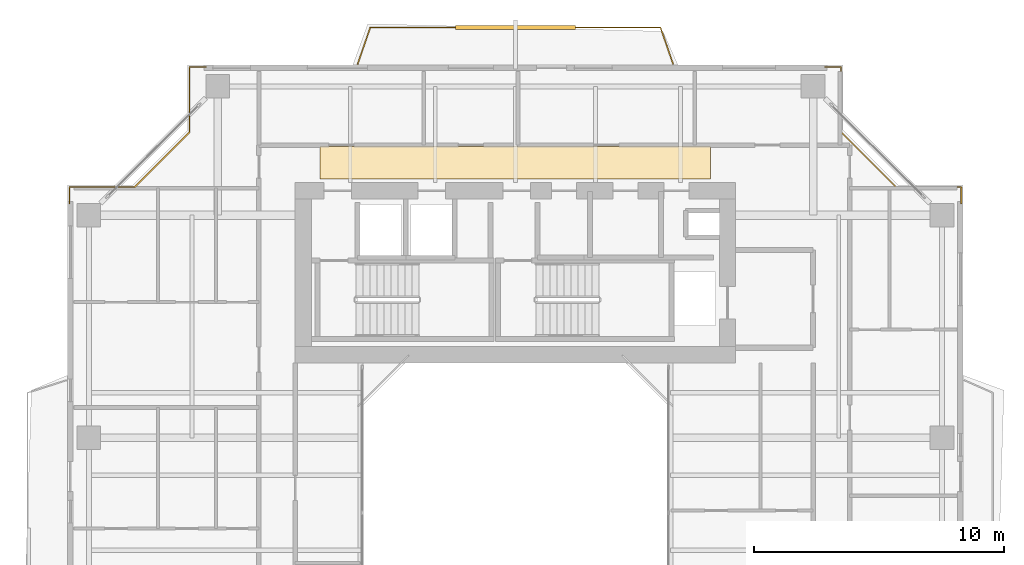
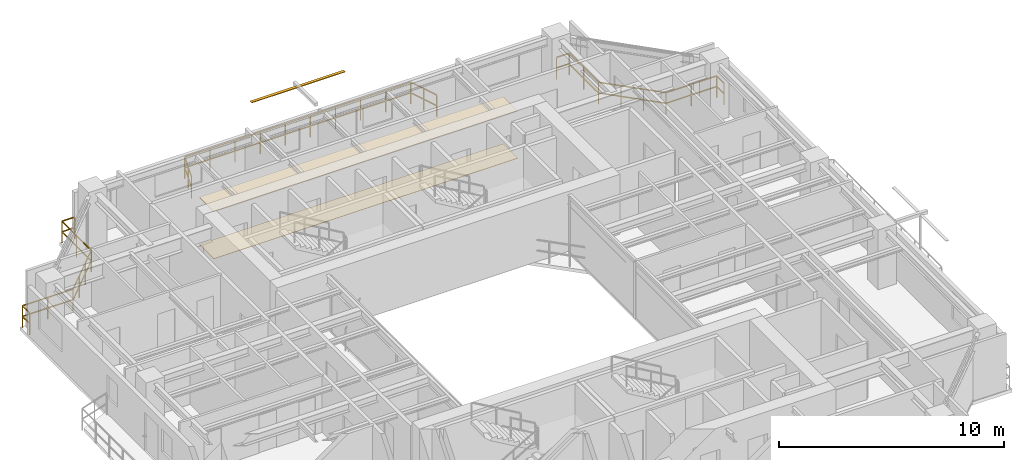
# One storey, part 17 of 17: 3 railings, 2 coverings, 1 shading device.
"""IFC4 building model written with IfcOpenShell, lengths in metres."""

from ifc_helpers import new_model, si_unit, direction, frame, origin, origin_2d, place, context, subcontext, project, spatial, polyline, rectangle, outline, extrude, source, transform, mapped, material, layer, layer_set, material_profile, profile_set, type_object, element, save


model = new_model("IFC4")

# Units and contexts
model_context = context("Model", 3, precision=1e-05, world=origin(), true_north=direction((0.0, 1.0)))
body_context = subcontext(model_context, "Body", "Model", "MODEL_VIEW")
ifc_project = project(units=[si_unit("LENGTHUNIT", "METRE"), si_unit("AREAUNIT", "SQUARE_METRE"), si_unit("VOLUMEUNIT", "CUBIC_METRE"), si_unit("PLANEANGLEUNIT", "RADIAN"), si_unit("MASSUNIT", "GRAM", prefix="KILO"), si_unit("THERMODYNAMICTEMPERATUREUNIT", "KELVIN"), si_unit("POWERUNIT", "WATT")], contexts=[model_context])

# Site, building, storey
site_placement = place(None, origin())
site = spatial("IfcSite", under=ifc_project, at=site_placement, CompositionType="ELEMENT")
building_placement = place(site_placement, origin())
building = spatial("IfcBuilding", under=site, at=building_placement, Name="Qiaomeng Ring Towers", CompositionType="ELEMENT")
storey_placement = place(building_placement, frame((0.0, 0.0, 150.25)))
storey = spatial("IfcBuildingStorey", under=building, at=storey_placement, Name="L43", CompositionType="ELEMENT", Elevation=150.25)

# Coverings
ifc_material_1 = material(Name="Moisture-resistant gypsum ceiling board", Category="gypsum")
ifc_layer_1 = layer(ifc_material_1, 0.030029296875, Name="Moisture-resistant gypsum ceiling board")
ifc_layer_set_1 = layer_set([ifc_layer_1], Name="Moisture-resistant gypsum ceiling board")
covering_type_1 = type_object("IfcCoveringType", Name="ARC-COV-CEIL2", PredefinedType="CEILING", material=ifc_layer_set_1)
covering_1_placement = place(storey_placement, frame((0.0, 0.0, 2.550048828125)))
element("IfcCovering", 1, at=covering_1_placement, inside=storey, type_object=covering_type_1, Name="L43 Corridor Acoustic Ceiling", PredefinedType="CEILING", context=body_context, shape_type="SweptSolid", body=[
    extrude(outline(polyline([(11.199951171875, 36.35009765625), (11.199951171875, 37.64990234375), (26.800048828125, 37.64990234375), (26.800048828125, 36.35009765625), (11.199951171875, 36.35009765625)])), origin(), (0.0, 0.0, 1.0), 0.02490234375),
])
ifc_material_2 = material(Name="Vitrified porcelain floor tile", Category="ceramic")
ifc_layer_2 = layer(ifc_material_2, 0.02001953125, Name="Vitrified porcelain floor tile")
ifc_layer_set_2 = layer_set([ifc_layer_2], Name="Vitrified porcelain floor tile")
covering_type_2 = type_object("IfcCoveringType", Name="ARC-COV-FLR1", PredefinedType="FLOORING", material=ifc_layer_set_2)
covering_2_placement = place(storey_placement, origin())
element("IfcCovering", 2, at=covering_2_placement, inside=storey, type_object=covering_type_2, Name="L43 Corridor Stone Flooring", PredefinedType="FLOORING", context=body_context, shape_type="SweptSolid", body=[
    extrude(outline(polyline([(11.199951171875, 36.35009765625), (11.199951171875, 37.64990234375), (26.800048828125, 37.64990234375), (26.800048828125, 36.35009765625), (11.199951171875, 36.35009765625)])), origin(), (0.0, 0.0, 1.0), 0.02001953125),
])

# Railings
ifc_material_3 = material(Name="Low-E pale-green laminated safety glass", Category="glass")
railing_type = type_object("IfcRailingType", Name="ARC-RL-BAL1", PredefinedType="BALUSTRADE", material=ifc_material_3)
railing_1_placement = place(storey_placement, frame((36.820068359375, 35.3701171875, 0.0)))
element("IfcRailing", 3, at=railing_1_placement, inside=storey, type_object=railing_type, Name="L43 Balustrade ARC-BAL-NOTCH1-L43-NE", PredefinedType="BALUSTRADE", context=body_context, shape_type="SweptSolid", body=[
    extrude(rectangle(XDim=0.048095703125, YDim=0.048095703125, at=origin_2d()), frame((0.0, 0.0, 1.17578125), z_axis=(0.0, 1.0, 0.0), x_axis=(-1.0, 0.0, 0.0)), (0.0, 0.0, 1.0), 0.64990234375),
    extrude(rectangle(XDim=0.048095703125, YDim=0.048095703125, at=origin_2d()), frame((0.0, 0.0, 0.60009765625), z_axis=(0.0, 1.0, 0.0), x_axis=(-1.0, 0.0, 0.0)), (0.0, 0.0, 1.0), 0.64990234375),
    extrude(rectangle(XDim=0.048095703125, YDim=0.048095703125, at=origin_2d()), frame((0.0, 0.64990234375, 1.17578125), z_axis=(-1.0, 0.0, 0.0), x_axis=(0.0, -1.0, 0.0)), (0.0, 0.0, 1.0), 2.60009765625),
    extrude(rectangle(XDim=0.048095703125, YDim=0.048095703125, at=origin_2d()), frame((0.0, 0.64990234375, 0.60009765625), z_axis=(-1.0, 0.0, 0.0), x_axis=(0.0, -1.0, 0.0)), (0.0, 0.0, 1.0), 2.60009765625),
    extrude(rectangle(XDim=0.048095703125, YDim=0.048095703125, at=origin_2d()), frame((-2.60009765625, 0.64990234375, 1.17578125), z_axis=(-0.707106781187, 0.707106781187, 0.0), x_axis=(-0.707106781187, -0.707106781187, 0.0)), (0.0, 0.0, 1.0), 3.111083984375),
    extrude(rectangle(XDim=0.048095703125, YDim=0.048095703125, at=origin_2d()), frame((-2.60009765625, 0.64990234375, 0.60009765625), z_axis=(-0.707106781187, 0.707106781187, 0.0), x_axis=(-0.707106781187, -0.707106781187, 0.0)), (0.0, 0.0, 1.0), 3.111083984375),
    extrude(rectangle(XDim=0.048095703125, YDim=0.048095703125, at=origin_2d()), frame((-4.800048828125, 2.849853515625, 1.17578125), z_axis=(0.0, 1.0, 0.0), x_axis=(-1.0, 0.0, 0.0)), (0.0, 0.0, 1.0), 2.60009765625),
    extrude(rectangle(XDim=0.048095703125, YDim=0.048095703125, at=origin_2d()), frame((-4.800048828125, 2.849853515625, 0.60009765625), z_axis=(0.0, 1.0, 0.0), x_axis=(-1.0, 0.0, 0.0)), (0.0, 0.0, 1.0), 2.60009765625),
    extrude(rectangle(XDim=0.048095703125, YDim=0.048095703125, at=origin_2d()), frame((-4.800048828125, 5.449951171875, 1.17578125), z_axis=(-1.0, 0.0, 0.0), x_axis=(0.0, -1.0, 0.0)), (0.0, 0.0, 1.0), 0.64990234375),
    extrude(rectangle(XDim=0.048095703125, YDim=0.048095703125, at=origin_2d()), frame((-4.800048828125, 5.449951171875, 0.60009765625), z_axis=(-1.0, 0.0, 0.0), x_axis=(0.0, -1.0, 0.0)), (0.0, 0.0, 1.0), 0.64990234375),
    extrude(rectangle(XDim=0.0419921875, YDim=0.0419921875, at=origin_2d()), origin(), (0.0, 0.0, 1.0), 1.15185546875),
    extrude(rectangle(XDim=0.0419921875, YDim=0.0419921875, at=origin_2d()), frame((0.0, 0.64990234375, 0.0)), (0.0, 0.0, 1.0), 1.15185546875),
    extrude(rectangle(XDim=0.0419921875, YDim=0.0419921875, at=origin_2d()), frame((-1.300048828125, 0.64990234375, 0.0)), (0.0, 0.0, 1.0), 1.15185546875),
    extrude(rectangle(XDim=0.0419921875, YDim=0.0419921875, at=origin_2d()), frame((-2.60009765625, 0.64990234375, 0.0)), (0.0, 0.0, 1.0), 1.15185546875),
    extrude(rectangle(XDim=0.0419921875, YDim=0.0419921875, at=origin_2d()), frame((-3.33349609375, 1.38330078125, 0.0)), (0.0, 0.0, 1.0), 1.15185546875),
    extrude(rectangle(XDim=0.0419921875, YDim=0.0419921875, at=origin_2d()), frame((-4.066650390625, 2.116455078125, 0.0)), (0.0, 0.0, 1.0), 1.15185546875),
    extrude(rectangle(XDim=0.0419921875, YDim=0.0419921875, at=origin_2d()), frame((-4.800048828125, 2.849853515625, 0.0)), (0.0, 0.0, 1.0), 1.15185546875),
    extrude(rectangle(XDim=0.0419921875, YDim=0.0419921875, at=origin_2d()), frame((-4.800048828125, 4.14990234375, 0.0)), (0.0, 0.0, 1.0), 1.15185546875),
    extrude(rectangle(XDim=0.0419921875, YDim=0.0419921875, at=origin_2d()), frame((-4.800048828125, 5.449951171875, 0.0)), (0.0, 0.0, 1.0), 1.15185546875),
    extrude(rectangle(XDim=0.0419921875, YDim=0.0419921875, at=origin_2d()), frame((-5.449951171875, 5.449951171875, 0.0)), (0.0, 0.0, 1.0), 1.15185546875),
])
railing_2_placement = place(storey_placement, frame((6.6298828125, 40.820068359375, 0.0)))
element("IfcRailing", 4, at=railing_2_placement, inside=storey, type_object=railing_type, Name="L43 Balustrade ARC-BAL-NOTCH1-L43-NW", PredefinedType="BALUSTRADE", context=body_context, shape_type="SweptSolid", body=[
    extrude(rectangle(XDim=0.048095703125, YDim=0.048095703125, at=origin_2d()), frame((0.0, 0.0, 1.17578125), z_axis=(-1.0, 0.0, 0.0), x_axis=(0.0, -1.0, 0.0)), (0.0, 0.0, 1.0), 0.64990234375),
    extrude(rectangle(XDim=0.048095703125, YDim=0.048095703125, at=origin_2d()), frame((0.0, 0.0, 0.60009765625), z_axis=(-1.0, 0.0, 0.0), x_axis=(0.0, -1.0, 0.0)), (0.0, 0.0, 1.0), 0.64990234375),
    extrude(rectangle(XDim=0.048095703125, YDim=0.048095703125, at=origin_2d()), frame((-0.64990234375, 0.0, 1.17578125), z_axis=(0.0, -1.0, 0.0), x_axis=(1.0, 0.0, 0.0)), (0.0, 0.0, 1.0), 2.60009765625),
    extrude(rectangle(XDim=0.048095703125, YDim=0.048095703125, at=origin_2d()), frame((-0.64990234375, 0.0, 0.60009765625), z_axis=(0.0, -1.0, 0.0), x_axis=(1.0, 0.0, 0.0)), (0.0, 0.0, 1.0), 2.60009765625),
    extrude(rectangle(XDim=0.048095703125, YDim=0.048095703125, at=origin_2d()), frame((-0.64990234375, -2.60009765625, 1.17578125), z_axis=(-0.707106781187, -0.707106781187, 0.0), x_axis=(0.707106781187, -0.707106781187, 0.0)), (0.0, 0.0, 1.0), 3.111083984375),
    extrude(rectangle(XDim=0.048095703125, YDim=0.048095703125, at=origin_2d()), frame((-0.64990234375, -2.60009765625, 0.60009765625), z_axis=(-0.707106781187, -0.707106781187, 0.0), x_axis=(0.707106781187, -0.707106781187, 0.0)), (0.0, 0.0, 1.0), 3.111083984375),
    extrude(rectangle(XDim=0.048095703125, YDim=0.048095703125, at=origin_2d()), frame((-2.849853515625, -4.800048828125, 1.17578125), z_axis=(-1.0, 0.0, 0.0), x_axis=(0.0, -1.0, 0.0)), (0.0, 0.0, 1.0), 2.60009765625),
    extrude(rectangle(XDim=0.048095703125, YDim=0.048095703125, at=origin_2d()), frame((-2.849853515625, -4.800048828125, 0.60009765625), z_axis=(-1.0, 0.0, 0.0), x_axis=(0.0, -1.0, 0.0)), (0.0, 0.0, 1.0), 2.60009765625),
    extrude(rectangle(XDim=0.048095703125, YDim=0.048095703125, at=origin_2d()), frame((-5.449951171875, -4.800048828125, 1.17578125), z_axis=(0.0, -1.0, 0.0), x_axis=(1.0, 0.0, 0.0)), (0.0, 0.0, 1.0), 0.64990234375),
    extrude(rectangle(XDim=0.048095703125, YDim=0.048095703125, at=origin_2d()), frame((-5.449951171875, -4.800048828125, 0.60009765625), z_axis=(0.0, -1.0, 0.0), x_axis=(1.0, 0.0, 0.0)), (0.0, 0.0, 1.0), 0.64990234375),
    extrude(rectangle(XDim=0.0419921875, YDim=0.0419921875, at=origin_2d()), origin(), (0.0, 0.0, 1.0), 1.15185546875),
    extrude(rectangle(XDim=0.0419921875, YDim=0.0419921875, at=origin_2d()), frame((-0.64990234375, 0.0, 0.0)), (0.0, 0.0, 1.0), 1.15185546875),
    extrude(rectangle(XDim=0.0419921875, YDim=0.0419921875, at=origin_2d()), frame((-0.64990234375, -1.300048828125, 0.0)), (0.0, 0.0, 1.0), 1.15185546875),
    extrude(rectangle(XDim=0.0419921875, YDim=0.0419921875, at=origin_2d()), frame((-0.64990234375, -2.60009765625, 0.0)), (0.0, 0.0, 1.0), 1.15185546875),
    extrude(rectangle(XDim=0.0419921875, YDim=0.0419921875, at=origin_2d()), frame((-1.38330078125, -3.33349609375, 0.0)), (0.0, 0.0, 1.0), 1.15185546875),
    extrude(rectangle(XDim=0.0419921875, YDim=0.0419921875, at=origin_2d()), frame((-2.116455078125, -4.066650390625, 0.0)), (0.0, 0.0, 1.0), 1.15185546875),
    extrude(rectangle(XDim=0.0419921875, YDim=0.0419921875, at=origin_2d()), frame((-2.849853515625, -4.800048828125, 0.0)), (0.0, 0.0, 1.0), 1.15185546875),
    extrude(rectangle(XDim=0.0419921875, YDim=0.0419921875, at=origin_2d()), frame((-4.14990234375, -4.800048828125, 0.0)), (0.0, 0.0, 1.0), 1.15185546875),
    extrude(rectangle(XDim=0.0419921875, YDim=0.0419921875, at=origin_2d()), frame((-5.449951171875, -4.800048828125, 0.0)), (0.0, 0.0, 1.0), 1.15185546875),
    extrude(rectangle(XDim=0.0419921875, YDim=0.0419921875, at=origin_2d()), frame((-5.449951171875, -5.449951171875, 0.0)), (0.0, 0.0, 1.0), 1.15185546875),
])
railing_3_placement = place(storey_placement, frame((12.699951171875, 40.949951171875, 0.0)))
element("IfcRailing", 5, at=railing_3_placement, inside=storey, type_object=railing_type, Name="L43 Balustrade ARC-BAL-L43-T1-N", PredefinedType="BALUSTRADE", context=body_context, shape_type="SweptSolid", body=[
    extrude(rectangle(XDim=0.048095703125, YDim=0.048095703125, at=origin_2d()), frame((0.0, 0.0, 1.17578125), z_axis=(0.326000494605, 0.945369598368, 0.0), x_axis=(-0.945369598368, 0.326000494605, 0.0)), (0.0, 0.0, 1.0), 1.53369140625),
    extrude(rectangle(XDim=0.048095703125, YDim=0.048095703125, at=origin_2d()), frame((0.0, 0.0, 0.60009765625), z_axis=(0.326000494605, 0.945369598368, 0.0), x_axis=(-0.945369598368, 0.326000494605, 0.0)), (0.0, 0.0, 1.0), 1.53369140625),
    extrude(rectangle(XDim=0.048095703125, YDim=0.048095703125, at=origin_2d()), frame((0.5, 1.449951171875, 1.17578125), z_axis=(1.0, 0.0, 0.0), x_axis=(0.0, 1.0, 0.0)), (0.0, 0.0, 1.0), 11.60009765625),
    extrude(rectangle(XDim=0.048095703125, YDim=0.048095703125, at=origin_2d()), frame((0.5, 1.449951171875, 0.60009765625), z_axis=(1.0, 0.0, 0.0), x_axis=(0.0, 1.0, 0.0)), (0.0, 0.0, 1.0), 11.60009765625),
    extrude(rectangle(XDim=0.048095703125, YDim=0.048095703125, at=origin_2d()), frame((12.10009765625, 1.449951171875, 1.17578125), z_axis=(0.326000494605, -0.945369598368, 0.0), x_axis=(0.945369598368, 0.326000494605, 0.0)), (0.0, 0.0, 1.0), 1.53369140625),
    extrude(rectangle(XDim=0.048095703125, YDim=0.048095703125, at=origin_2d()), frame((12.10009765625, 1.449951171875, 0.60009765625), z_axis=(0.326000494605, -0.945369598368, 0.0), x_axis=(0.945369598368, 0.326000494605, 0.0)), (0.0, 0.0, 1.0), 1.53369140625),
    extrude(rectangle(XDim=0.0419921875, YDim=0.0419921875, at=origin_2d()), origin(), (0.0, 0.0, 1.0), 1.15185546875),
    extrude(rectangle(XDim=0.0419921875, YDim=0.0419921875, at=origin_2d()), frame((0.25, 0.72509765625, 0.0)), (0.0, 0.0, 1.0), 1.15185546875),
    extrude(rectangle(XDim=0.0419921875, YDim=0.0419921875, at=origin_2d()), frame((0.5, 1.449951171875, 0.0)), (0.0, 0.0, 1.0), 1.15185546875),
    extrude(rectangle(XDim=0.0419921875, YDim=0.0419921875, at=origin_2d()), frame((1.788818359375, 1.449951171875, 0.0)), (0.0, 0.0, 1.0), 1.15185546875),
    extrude(rectangle(XDim=0.0419921875, YDim=0.0419921875, at=origin_2d()), frame((3.077880859375, 1.449951171875, 0.0)), (0.0, 0.0, 1.0), 1.15185546875),
    extrude(rectangle(XDim=0.0419921875, YDim=0.0419921875, at=origin_2d()), frame((4.36669921875, 1.449951171875, 0.0)), (0.0, 0.0, 1.0), 1.15185546875),
    extrude(rectangle(XDim=0.0419921875, YDim=0.0419921875, at=origin_2d()), frame((5.655517578125, 1.449951171875, 0.0)), (0.0, 0.0, 1.0), 1.15185546875),
    extrude(rectangle(XDim=0.0419921875, YDim=0.0419921875, at=origin_2d()), frame((6.944580078125, 1.449951171875, 0.0)), (0.0, 0.0, 1.0), 1.15185546875),
    extrude(rectangle(XDim=0.0419921875, YDim=0.0419921875, at=origin_2d()), frame((8.2333984375, 1.449951171875, 0.0)), (0.0, 0.0, 1.0), 1.15185546875),
    extrude(rectangle(XDim=0.0419921875, YDim=0.0419921875, at=origin_2d()), frame((9.522216796875, 1.449951171875, 0.0)), (0.0, 0.0, 1.0), 1.15185546875),
    extrude(rectangle(XDim=0.0419921875, YDim=0.0419921875, at=origin_2d()), frame((10.811279296875, 1.449951171875, 0.0)), (0.0, 0.0, 1.0), 1.15185546875),
    extrude(rectangle(XDim=0.0419921875, YDim=0.0419921875, at=origin_2d()), frame((12.10009765625, 1.449951171875, 0.0)), (0.0, 0.0, 1.0), 1.15185546875),
    extrude(rectangle(XDim=0.0419921875, YDim=0.0419921875, at=origin_2d()), frame((12.35009765625, 0.72509765625, 0.0)), (0.0, 0.0, 1.0), 1.15185546875),
    extrude(rectangle(XDim=0.0419921875, YDim=0.0419921875, at=origin_2d()), frame((12.60009765625, 0.0, 0.0)), (0.0, 0.0, 1.0), 1.15185546875),
])

# Shading device
ifc_material_4 = material(Name="Fluorocarbon dark-grey aluminium", Category="aluminium")
ifc_material_profile = material_profile(ifc_material_4, rectangle(XDim=0.14990234375, YDim=0.034912109375, at=origin_2d()), Name="LV BLADE 150x35")
ifc_profile_set = profile_set([ifc_material_profile], Name="Fluorocarbon dark-grey aluminium")
shading_device_type = type_object("IfcShadingDeviceType", Name="ARC-SHD-SUN", PredefinedType="AWNING", material=ifc_profile_set)
shared_shape = source(origin(), body_context, "Body", "SweptSolid", [
    extrude(rectangle(XDim=0.14990234375, YDim=0.034912109375, at=origin_2d()), origin(), (0.0, 0.0, 1.0), 4.7998046875),
])
shading_device_placement = place(storey_placement, frame((16.60009765625, 42.39990234375, 2.969970703125), z_axis=(1.0, 0.0, 0.0), x_axis=(0.0, 1.0, 0.0)))
element("IfcShadingDevice", 6, at=shading_device_placement, inside=storey, type_object=shading_device_type, Name="L43 Ventilated Outer-Skin Sunshade N", PredefinedType="AWNING", context=body_context, shape_type="MappedRepresentation", body=[
    mapped(shared_shape, transform((0.0, 0.0, 0.0), x_axis=(1.0, 0.0, 0.0), y_axis=(0.0, 1.0, 0.0), z_axis=(0.0, 0.0, 1.0), scale=1.0)),
])

save(model, "model.ifc")
